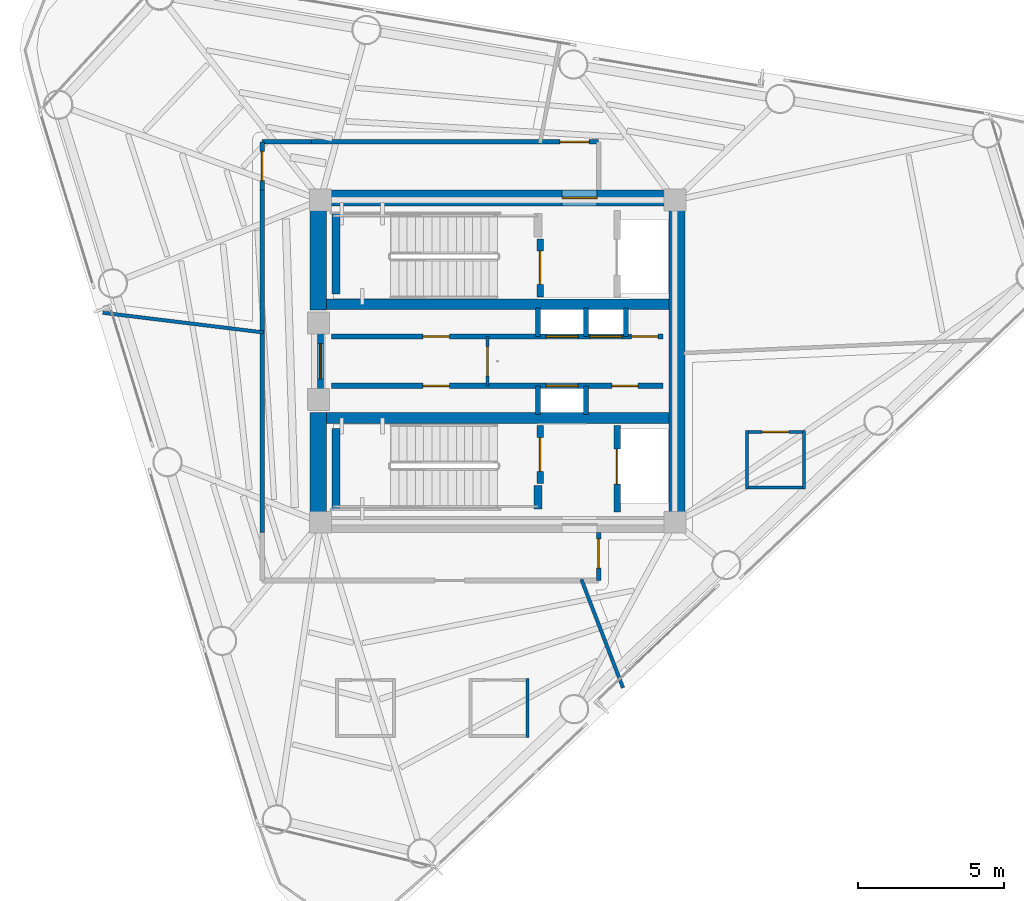
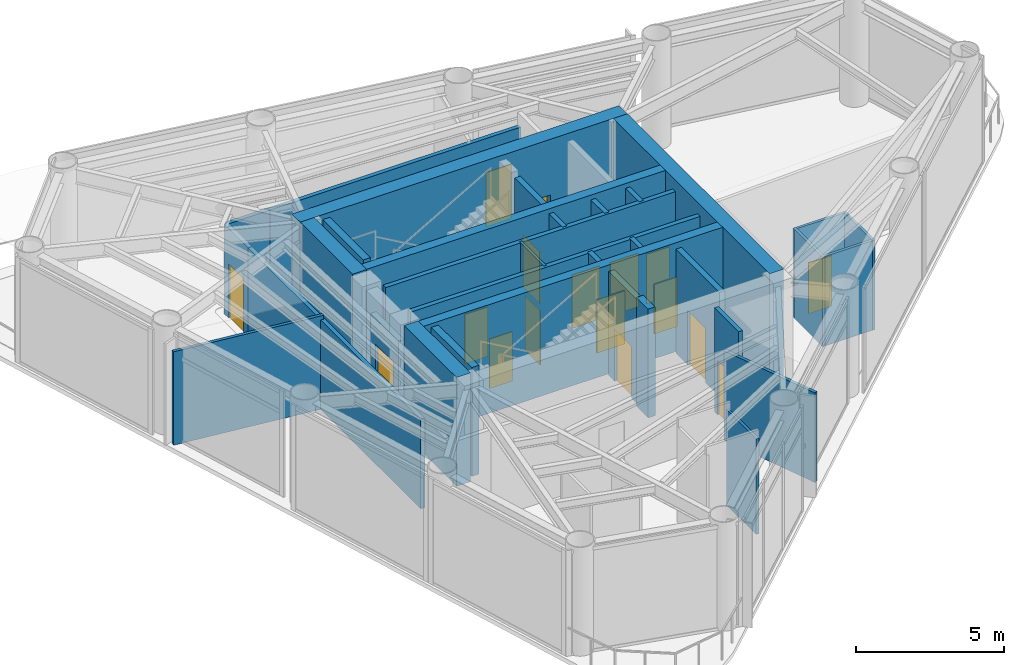
# One storey, part 6 of 11: 33 walls, 17 doors, 17 openings.
"""IFC4 building model written with IfcOpenShell, lengths in metres."""

from ifc_helpers import new_model, si_unit, direction, frame, frame_2d, origin, place, context, subcontext, project, spatial, rectangle, extrude, material, layer, layer_set, type_object, element, fill, save


model = new_model("IFC4")

# Units and contexts
model_context = context("Model", 3, precision=1e-05, world=origin(), true_north=direction((0.0, 1.0)))
body_context = subcontext(model_context, "Body", "Model", "MODEL_VIEW")
ifc_project = project(units=[si_unit("LENGTHUNIT", "METRE"), si_unit("AREAUNIT", "SQUARE_METRE"), si_unit("VOLUMEUNIT", "CUBIC_METRE"), si_unit("PLANEANGLEUNIT", "RADIAN"), si_unit("MASSUNIT", "GRAM", prefix="KILO")], contexts=[model_context])

# Site, building, storey
site_placement = place(None, origin())
site = spatial("IfcSite", under=ifc_project, at=site_placement, CompositionType="ELEMENT")
building_placement = place(site_placement, origin())
building = spatial("IfcBuilding", under=site, at=building_placement, Name="Yunling Apex Tower", CompositionType="ELEMENT")
storey_placement = place(building_placement, frame((0.0, 0.0, 224.14990234375)))
storey = spatial("IfcBuildingStorey", under=building, at=storey_placement, Name="L54", CompositionType="ELEMENT", Elevation=224.14990234375)

# Wall, opening, door
ifc_material_1 = material(Name="Concrete C40", Category="concrete")
ifc_layer_1 = layer(ifc_material_1, 0.550048828125)
ifc_layer_set_1 = layer_set([ifc_layer_1], Name="Concrete C40")
wall_type_1 = type_object("IfcWallType", Name="WL-COR-3", PredefinedType="SHEAR", material=ifc_layer_set_1)
wall_1_placement = place(storey_placement, frame((-6.39990234375, 5.574951171875, 0.0), z_axis=(0.0, 0.0, 1.0), x_axis=(1.0, 0.0, 0.0)))
wall_1 = element("IfcWall", 1, at=wall_1_placement, inside=storey, type_object=wall_type_1, Name="L54 North Core Shear Wall", PredefinedType="SHEAR", context=body_context, shape_type="SweptSolid", body=[
    extrude(rectangle(XDim=12.7998046875, YDim=0.550048828125, at=frame_2d((6.39990234375, 0.0))), origin(), (0.0, 0.0, 1.0), 4.5),
])
opening_1_placement = place(wall_1_placement, frame((8.60009765625, 0.0, 0.0)))
opening_1 = element("IfcOpeningElement", 2, at=opening_1_placement, cuts=wall_1, Name="Opening DR-FFL-1", PredefinedType="OPENING", context=body_context, shape_type="SweptSolid", body=[
    extrude(rectangle(XDim=1.199951171875, YDim=2.199951171875, at=frame_2d((0.60009765625, 1.10009765625))), frame((0.0, 0.28515625, 0.0), z_axis=(0.0, -1.0, 0.0), x_axis=(1.0, 0.0, 0.0)), (0.0, 0.0, 1.0), 0.570068359375),
])
ifc_material_2 = material(Name="Steel Q355B", Category="steel")
door_type_1 = type_object("IfcDoorType", Name="DR-FFL-1", OperationType="NOTDEFINED", PredefinedType="DOOR", material=ifc_material_2)
door_1_placement = place(opening_1_placement, origin())
door_1 = element("IfcDoor", 3, at=door_1_placement, inside=storey, type_object=door_type_1, Name="L54 North Firefighting Lobby Door", OperationType="SINGLE_SWING_LEFT", OverallHeight=2.199951171875, OverallWidth=1.199951171875, PredefinedType="DOOR", context=body_context, shape_type="SweptSolid", body=[
    extrude(rectangle(XDim=1.199951171875, YDim=2.199951171875, at=frame_2d((0.60009765625, 1.10009765625))), frame((0.0, 0.02490234375, 0.0), z_axis=(0.0, -1.0, 0.0), x_axis=(1.0, 0.0, 0.0)), (0.0, 0.0, 1.0), 0.050048828125),
])
fill(opening_1, door_1)

# Walls
wall_2_placement = place(storey_placement, frame((6.125, -5.300048828125, 0.0), z_axis=(0.0, 0.0, 1.0), x_axis=(0.0, 1.0, 0.0)))
element("IfcWall", 4, at=wall_2_placement, inside=storey, type_object=wall_type_1, Name="L54 East Core Shear Wall", PredefinedType="SHEAR", context=body_context, shape_type="SweptSolid", body=[
    extrude(rectangle(XDim=10.60009765625, YDim=0.550048828125, at=frame_2d((5.300048828125, 0.0))), origin(), (0.0, 0.0, 1.0), 4.5),
])
for number, where, z_axis, x_axis, name in (
    (5, (-6.125, -5.300048828125, 0.0), (0.0, 0.0, 1.0), (0.0, 1.0, 0.0), "L54 West-South Core Shear Wall"),
    (6, (-6.125, 1.75, 0.0), (0.0, 0.0, 1.0), (0.0, 1.0, 0.0), "L54 West-North Core Shear Wall"),
):
    element("IfcWall", number, at=place(storey_placement, frame(where, z_axis=z_axis, x_axis=x_axis)), inside=storey, type_object=wall_type_1, Name=name, PredefinedType="SHEAR", context=body_context, shape_type="SweptSolid", body=[
        extrude(rectangle(XDim=3.550048828125, YDim=0.550048828125, at=frame_2d((1.77490234375, 0.0))), origin(), (0.0, 0.0, 1.0), 4.5),
    ])
ifc_layer_2 = layer(ifc_material_1, 0.360107421875)
ifc_layer_set_2 = layer_set([ifc_layer_2], Name="Concrete C40")
wall_type_2 = type_object("IfcWallType", Name="WL-COR-4", PredefinedType="SHEAR", material=ifc_layer_set_2)
for number, where, z_axis, x_axis, name in (
    (7, (-5.85009765625, 1.93994140625, 0.0), (0.0, 0.0, 1.0), (1.0, 0.0, 0.0), "L54 North Internal Core Shear Wall"),
    (8, (-5.85009765625, -1.93994140625, 0.0), (0.0, 0.0, 1.0), (1.0, 0.0, 0.0), "L54 South Internal Core Shear Wall"),
):
    element("IfcWall", number, at=place(storey_placement, frame(where, z_axis=z_axis, x_axis=x_axis)), inside=storey, type_object=wall_type_2, Name=name, PredefinedType="SHEAR", context=body_context, shape_type="SweptSolid", body=[
        extrude(rectangle(XDim=11.7001953125, YDim=0.360107421875, at=frame_2d((5.85009765625, 0.0))), origin(), (0.0, 0.0, 1.0), 4.5),
    ])
ifc_layer_3 = layer(ifc_material_1, 0.280029296875)
ifc_layer_set_3 = layer_set([ifc_layer_3], Name="Concrete C40")
wall_type_3 = type_object("IfcWallType", Name="WL-COR-8", PredefinedType="SHEAR", material=ifc_layer_set_3)
for number, where, z_axis, x_axis, name in (
    (9, (-5.52001953125, 2.300048828125, 0.0), (0.0, 0.0, 1.0), (0.0, 1.0, 0.0), "L54 ST-1 West Landing Bearing Wall"),
    (10, (-5.52001953125, -5.050048828125, 0.0), (0.0, 0.0, 1.0), (0.0, 1.0, 0.0), "L54 ST-2 West Landing Bearing Wall"),
):
    element("IfcWall", number, at=place(storey_placement, frame(where, z_axis=z_axis, x_axis=x_axis)), inside=storey, type_object=wall_type_3, Name=name, PredefinedType="SHEAR", context=body_context, shape_type="SweptSolid", body=[
        extrude(rectangle(XDim=2.75, YDim=0.280029296875, at=frame_2d((1.375, 0.0))), origin(), (0.0, 0.0, 1.0), 4.5),
    ])
wall_3_placement = place(storey_placement, frame((1.3798828125, -5.050048828125, 0.0), z_axis=(0.0, 0.0, 1.0), x_axis=(0.0, 1.0, 0.0)))
element("IfcWall", 11, at=wall_3_placement, inside=storey, type_object=wall_type_3, Name="L54 ST-2 East Landing Bearing Pier", PredefinedType="SHEAR", context=body_context, shape_type="SweptSolid", body=[
    extrude(rectangle(XDim=0.800048828125, YDim=0.280029296875, at=frame_2d((0.39990234375, 0.0))), origin(), (0.0, 0.0, 1.0), 4.5),
])

# Wall, opening, door
ifc_material_3 = material(Name="Gypsum board acoustic partition")
ifc_layer_4 = layer(ifc_material_3, 0.159912109375)
ifc_layer_set_4 = layer_set([ifc_layer_4], Name="Gypsum board acoustic partition")
wall_type_4 = type_object("IfcWallType", Name="WL-PRT-1", PredefinedType="PARTITIONING", material=ifc_layer_set_4)
wall_4_placement = place(storey_placement, frame((-8.0400390625, 5.85009765625, 0.0), z_axis=(0.0, 0.0, 1.0), x_axis=(0.0, 1.0, 0.0)))
wall_4 = element("IfcWall", 12, at=wall_4_placement, inside=storey, type_object=wall_type_4, Name="WL-CORR-L54-01", PredefinedType="PARTITIONING", context=body_context, shape_type="SweptSolid", body=[
    extrude(rectangle(XDim=1.639892578125, YDim=0.159912109375, at=frame_2d((0.81982421875, 0.0))), origin(), (0.0, 0.0, 1.0), 3.705078125),
])
opening_2_placement = place(wall_4_placement, frame((0.320068359375, 0.0, 0.0)))
opening_2 = element("IfcOpeningElement", 13, at=opening_2_placement, cuts=wall_4, Name="Opening DR-OFF-1", PredefinedType="OPENING", context=body_context, shape_type="SweptSolid", body=[
    extrude(rectangle(XDim=1.0, YDim=2.25, at=frame_2d((0.5, 1.125))), frame((0.0, 0.08984375, 0.0), z_axis=(0.0, -1.0, 0.0), x_axis=(1.0, 0.0, 0.0)), (0.0, 0.0, 1.0), 0.179931640625),
])
ifc_material_4 = material(Name="Bronze anodised aluminium", Category="aluminium")
door_type_2 = type_object("IfcDoorType", Name="DR-OFF-1", OperationType="NOTDEFINED", PredefinedType="DOOR", material=ifc_material_4)
door_2_placement = place(opening_2_placement, origin())
door_2 = element("IfcDoor", 14, at=door_2_placement, inside=storey, type_object=door_type_2, Name="L54 Sky Dining Kitchen Door", OperationType="SINGLE_SWING_RIGHT", OverallHeight=2.25, OverallWidth=1.0, PredefinedType="DOOR", context=body_context, shape_type="SweptSolid", body=[
    extrude(rectangle(XDim=1.0, YDim=2.25, at=frame_2d((0.5, 1.125))), frame((0.0, 0.02490234375, 0.0), z_axis=(0.0, -1.0, 0.0), x_axis=(1.0, 0.0, 0.0)), (0.0, 0.0, 1.0), 0.050048828125),
])
fill(opening_2, door_2)

# Wall
wall_5_placement = place(storey_placement, frame((-8.0400390625, 7.489990234375, 0.0), z_axis=(0.0, 0.0, 1.0), x_axis=(1.0, 0.0, 0.0)))
element("IfcWall", 15, at=wall_5_placement, inside=storey, type_object=wall_type_4, Name="WL-CORR-L54-02", PredefinedType="PARTITIONING", context=body_context, shape_type="SweptSolid", body=[
    extrude(rectangle(XDim=1.679931640625, YDim=0.159912109375, at=frame_2d((0.83984375, 0.0))), origin(), (0.0, 0.0, 1.0), 3.705078125),
])

# Wall, opening, door
wall_6_placement = place(storey_placement, frame((-6.360107421875, 7.489990234375, 0.0), z_axis=(0.0, 0.0, 1.0), x_axis=(1.0, 0.0, 0.0)))
wall_6 = element("IfcWall", 16, at=wall_6_placement, inside=storey, type_object=wall_type_4, Name="WL-CORR-L54-03", PredefinedType="PARTITIONING", context=body_context, shape_type="SweptSolid", body=[
    extrude(rectangle(XDim=9.81005859375, YDim=0.159912109375, at=frame_2d((4.905029296875, 0.0))), origin(), (0.0, 0.0, 1.0), 3.705078125),
])
opening_3_placement = place(wall_6_placement, frame((8.4873046875, 0.0, 0.0)))
opening_3 = element("IfcOpeningElement", 17, at=opening_3_placement, cuts=wall_6, Name="Opening DR-OFF-1", PredefinedType="OPENING", context=body_context, shape_type="SweptSolid", body=[
    extrude(rectangle(XDim=1.0, YDim=2.25, at=frame_2d((0.5, 1.125))), frame((0.0, 0.08984375, 0.0), z_axis=(0.0, -1.0, 0.0), x_axis=(1.0, 0.0, 0.0)), (0.0, 0.0, 1.0), 0.179931640625),
])
door_3_placement = place(opening_3_placement, origin())
door_3 = element("IfcDoor", 18, at=door_3_placement, inside=storey, type_object=door_type_2, Name="L54 Sky Observation Lounge Door", OperationType="SINGLE_SWING_LEFT", OverallHeight=2.25, OverallWidth=1.0, PredefinedType="DOOR", context=body_context, shape_type="SweptSolid", body=[
    extrude(rectangle(XDim=1.0, YDim=2.25, at=frame_2d((0.5, 1.125))), frame((0.0, 0.02490234375, 0.0), z_axis=(0.0, -1.0, 0.0), x_axis=(1.0, 0.0, 0.0)), (0.0, 0.0, 1.0), 0.050048828125),
])
fill(opening_3, door_3)

wall_7_placement = place(storey_placement, frame((3.449951171875, -5.85009765625, 0.0), z_axis=(0.0, 0.0, 1.0), x_axis=(0.0, -1.0, 0.0)))
wall_7 = element("IfcWall", 19, at=wall_7_placement, inside=storey, type_object=wall_type_4, Name="WL-CORR-L54-05", PredefinedType="PARTITIONING", context=body_context, shape_type="SweptSolid", body=[
    extrude(rectangle(XDim=1.639892578125, YDim=0.159912109375, at=frame_2d((0.81982421875, 0.0))), origin(), (0.0, 0.0, 1.0), 4.300048828125),
])
opening_4_placement = place(wall_7_placement, frame((0.219970703125, 0.0, 0.0)))
opening_4 = element("IfcOpeningElement", 20, at=opening_4_placement, cuts=wall_7, Name="Opening DR-OFF-1", PredefinedType="OPENING", context=body_context, shape_type="SweptSolid", body=[
    extrude(rectangle(XDim=1.0, YDim=2.25, at=frame_2d((0.5, 1.125))), frame((0.0, 0.08984375, 0.0), z_axis=(0.0, -1.0, 0.0), x_axis=(1.0, 0.0, 0.0)), (0.0, 0.0, 1.0), 0.179931640625),
])
door_4_placement = place(opening_4_placement, origin())
door_4 = element("IfcDoor", 21, at=door_4_placement, inside=storey, type_object=door_type_2, Name="L54 Office Suite Door", OperationType="SINGLE_SWING_RIGHT", OverallHeight=2.25, OverallWidth=1.0, PredefinedType="DOOR", context=body_context, shape_type="SweptSolid", body=[
    extrude(rectangle(XDim=1.0, YDim=2.25, at=frame_2d((0.5, 1.125))), frame((0.0, 0.02490234375, 0.0), z_axis=(0.0, -1.0, 0.0), x_axis=(1.0, 0.0, 0.0)), (0.0, 0.0, 1.0), 0.050048828125),
])
fill(opening_4, door_4)

# Walls
wall_8_placement = place(storey_placement, frame((-8.0400390625, -5.85009765625, 0.0), z_axis=(0.0, 0.0, 1.0), x_axis=(0.0, 1.0, 0.0)))
element("IfcWall", 22, at=wall_8_placement, inside=storey, type_object=wall_type_4, Name="WL-CORR-L54-09", PredefinedType="PARTITIONING", context=body_context, shape_type="SweptSolid", body=[
    extrude(rectangle(XDim=11.7001953125, YDim=0.159912109375, at=frame_2d((5.85009765625, 0.0))), origin(), (0.0, 0.0, 1.0), 3.705078125),
])
ifc_layer_5 = layer(ifc_material_3, 0.1201171875)
ifc_layer_set_5 = layer_set([ifc_layer_5], Name="Gypsum board acoustic partition")
wall_type_5 = type_object("IfcWallType", Name="WL-PRT-3", PredefinedType="PARTITIONING", material=ifc_layer_set_5)
wall_9_placement = place(storey_placement, frame((-8.0, 0.982421875, 0.0), z_axis=(0.0, 0.0, 1.0), x_axis=(-0.992546737371, 0.121864572927, 0.0)))
element("IfcWall", 23, at=wall_9_placement, inside=storey, type_object=wall_type_5, Name="WL-RAD-L54-03", PredefinedType="PARTITIONING", context=body_context, shape_type="SweptSolid", body=[
    extrude(rectangle(XDim=5.525390625, YDim=0.1201171875, at=frame_2d((2.7626953125, 0.0))), origin(), (0.0, 0.0, 1.0), 3.864990234375),
])
wall_10_placement = place(storey_placement, frame((2.85986328125, -7.449951171875, 0.0), z_axis=(0.0, 0.0, 1.0), x_axis=(0.35834382605, -0.933589686282, 0.0)))
element("IfcWall", 24, at=wall_10_placement, inside=storey, type_object=wall_type_5, Name="WL-RAD-L54-04", PredefinedType="PARTITIONING", context=body_context, shape_type="SweptSolid", body=[
    extrude(rectangle(XDim=3.966552734375, YDim=0.1201171875, at=frame_2d((1.9833984375, 0.0))), origin(), (0.0, 0.0, 1.0), 3.705078125),
])

# Wall, opening, door
ifc_layer_6 = layer(ifc_material_3, 0.10009765625)
ifc_layer_set_6 = layer_set([ifc_layer_6], Name="Gypsum board acoustic partition")
wall_type_6 = type_object("IfcWallType", Name="WL-PRT-4", PredefinedType="PARTITIONING", material=ifc_layer_set_6)
wall_11_placement = place(storey_placement, frame((-0.35009765625, -0.840087890625, 0.0), z_axis=(0.0, 0.0, 1.0), x_axis=(0.0, 1.0, 0.0)))
wall_11 = element("IfcWall", 25, at=wall_11_placement, inside=storey, type_object=wall_type_6, Name="WL-LOB-MID-L54", PredefinedType="PARTITIONING", context=body_context, shape_type="SweptSolid", body=[
    extrude(rectangle(XDim=1.68017578125, YDim=0.10009765625, at=frame_2d((0.840087890625, 0.0))), origin(), (0.0, 0.0, 1.0), 4.300048828125),
])
opening_5_placement = place(wall_11_placement, frame((0.340087890625, 0.0, 0.0)))
opening_5 = element("IfcOpeningElement", 26, at=opening_5_placement, cuts=wall_11, Name="Opening DR-OFF-1", PredefinedType="OPENING", context=body_context, shape_type="SweptSolid", body=[
    extrude(rectangle(XDim=1.0, YDim=2.25, at=frame_2d((0.5, 1.125))), frame((0.0, 0.06005859375, 0.0), z_axis=(0.0, -1.0, 0.0), x_axis=(1.0, 0.0, 0.0)), (0.0, 0.0, 1.0), 0.1201171875),
])
door_5_placement = place(opening_5_placement, origin())
door_5 = element("IfcDoor", 27, at=door_5_placement, inside=storey, type_object=door_type_2, Name="L54 Core Lobby Link Door", OperationType="SINGLE_SWING_RIGHT", OverallHeight=2.25, OverallWidth=1.0, PredefinedType="DOOR", context=body_context, shape_type="SweptSolid", body=[
    extrude(rectangle(XDim=1.0, YDim=2.25, at=frame_2d((0.5, 1.125))), frame((0.0, 0.02490234375, 0.0), z_axis=(0.0, -1.0, 0.0), x_axis=(1.0, 0.0, 0.0)), (0.0, 0.0, 1.0), 0.050048828125),
])
fill(opening_5, door_5)

# Wall
wall_12_placement = place(storey_placement, frame((1.01708984375, -10.843994140625, 0.0), z_axis=(0.0, 0.0, 1.0), x_axis=(0.0, -1.0, 0.0)))
element("IfcWall", 28, at=wall_12_placement, inside=storey, type_object=wall_type_6, Name="WL-L54-WCFE", PredefinedType="PARTITIONING", context=body_context, shape_type="SweptSolid", body=[
    extrude(rectangle(XDim=2.0, YDim=0.10009765625, at=frame_2d((1.0, 0.0))), origin(), (0.0, 0.0, 1.0), 3.955078125),
])

# Wall, opening, door
wall_13_placement = place(storey_placement, frame((8.4619140625, -2.4150390625, 0.0), z_axis=(0.0, 0.0, 1.0), x_axis=(1.0, 0.0, 0.0)))
wall_13 = element("IfcWall", 29, at=wall_13_placement, inside=storey, type_object=wall_type_6, Name="WL-L54-WCFB1N", PredefinedType="PARTITIONING", context=body_context, shape_type="SweptSolid", body=[
    extrude(rectangle(XDim=2.050048828125, YDim=0.10009765625, at=frame_2d((1.02490234375, 0.0))), origin(), (0.0, 0.0, 1.0), 3.705078125),
])
opening_6_placement = place(wall_13_placement, frame((0.56494140625, 0.0, 0.0)))
opening_6 = element("IfcOpeningElement", 30, at=opening_6_placement, cuts=wall_13, Name="Opening DR-WC-1", PredefinedType="OPENING", context=body_context, shape_type="SweptSolid", body=[
    extrude(rectangle(XDim=0.919921875, YDim=2.10009765625, at=frame_2d((0.4599609375, 1.050048828125))), frame((0.0, 0.06005859375, 0.0), z_axis=(0.0, -1.0, 0.0), x_axis=(1.0, 0.0, 0.0)), (0.0, 0.0, 1.0), 0.1201171875),
])
ifc_material_5 = material(Name="Timber moisture-resistant leaf", Category="wood")
door_type_3 = type_object("IfcDoorType", Name="DR-WC-1", OperationType="NOTDEFINED", PredefinedType="DOOR", material=ifc_material_5)
door_6_placement = place(opening_6_placement, origin())
door_6 = element("IfcDoor", 31, at=door_6_placement, inside=storey, type_object=door_type_3, Name="L54 Accessible WC Door", OperationType="SINGLE_SWING_LEFT", OverallHeight=2.10009765625, OverallWidth=0.919921875, PredefinedType="DOOR", context=body_context, shape_type="SweptSolid", body=[
    extrude(rectangle(XDim=0.919921875, YDim=2.10009765625, at=frame_2d((0.4599609375, 1.050048828125))), frame((0.0, 0.02490234375, 0.0), z_axis=(0.0, -1.0, 0.0), x_axis=(1.0, 0.0, 0.0)), (0.0, 0.0, 1.0), 0.050048828125),
])
fill(opening_6, door_6)

# Walls
wall_14_placement = place(storey_placement, frame((10.511962890625, -4.31494140625, 0.0), z_axis=(0.0, 0.0, 1.0), x_axis=(-1.0, 0.0, 0.0)))
element("IfcWall", 32, at=wall_14_placement, inside=storey, type_object=wall_type_6, Name="WL-L54-WCFB1S", PredefinedType="PARTITIONING", context=body_context, shape_type="SweptSolid", body=[
    extrude(rectangle(XDim=2.050048828125, YDim=0.10009765625, at=frame_2d((1.02490234375, 0.0))), origin(), (0.0, 0.0, 1.0), 3.705078125),
])
for number, where, z_axis, x_axis, name in (
    (33, (10.4619140625, -2.364990234375, 0.0), (0.0, 0.0, 1.0), (0.0, -1.0, 0.0), "WL-L54-WCFB1E"),
    (34, (8.511962890625, -4.364990234375, 0.0), (0.0, 0.0, 1.0), (0.0, 1.0, 0.0), "WL-L54-WCFB1W"),
):
    element("IfcWall", number, at=place(storey_placement, frame(where, z_axis=z_axis, x_axis=x_axis)), inside=storey, type_object=wall_type_6, Name=name, PredefinedType="PARTITIONING", context=body_context, shape_type="SweptSolid", body=[
        extrude(rectangle(XDim=2.0, YDim=0.10009765625, at=frame_2d((1.0, 0.0))), origin(), (0.0, 0.0, 1.0), 3.705078125),
    ])

# Wall, opening, door
ifc_material_6 = material(Name="Autoclaved aerated concrete masonry", Category="masonry")
ifc_layer_7 = layer(ifc_material_6, 0.219970703125)
ifc_layer_set_7 = layer_set([ifc_layer_7], Name="Autoclaved aerated concrete masonry")
wall_type_7 = type_object("IfcWallType", Name="WL-SHF-1", PredefinedType="PLUMBINGWALL", material=ifc_layer_set_7)
wall_15_placement = place(storey_placement, frame((-6.050048828125, -0.949951171875, 0.0), z_axis=(0.0, 0.0, 1.0), x_axis=(0.0, 1.0, 0.0)))
wall_15 = element("IfcWall", 35, at=wall_15_placement, inside=storey, type_object=wall_type_7, Name="WL-COR-WPORT-L54", PredefinedType="PLUMBINGWALL", context=body_context, shape_type="SweptSolid", body=[
    extrude(rectangle(XDim=1.89990234375, YDim=0.219970703125, at=frame_2d((0.949951171875, 0.0))), origin(), (0.0, 0.0, 1.0), 3.280029296875),
])
opening_7_placement = place(wall_15_placement, frame((0.35009765625, 0.0, 0.0)))
opening_7 = element("IfcOpeningElement", 36, at=opening_7_placement, cuts=wall_15, Name="Opening DR-FFL-1", PredefinedType="OPENING", context=body_context, shape_type="SweptSolid", body=[
    extrude(rectangle(XDim=1.199951171875, YDim=2.199951171875, at=frame_2d((0.60009765625, 1.10009765625))), frame((0.0, 0.1201171875, 0.0), z_axis=(0.0, -1.0, 0.0), x_axis=(1.0, 0.0, 0.0)), (0.0, 0.0, 1.0), 0.239990234375),
])
door_7_placement = place(opening_7_placement, origin())
door_7 = element("IfcDoor", 37, at=door_7_placement, inside=storey, type_object=door_type_1, Name="L54 Passenger Lift Lobby Entrance Door", OperationType="SINGLE_SWING_RIGHT", OverallHeight=2.199951171875, OverallWidth=1.199951171875, PredefinedType="DOOR", context=body_context, shape_type="SweptSolid", body=[
    extrude(rectangle(XDim=1.199951171875, YDim=2.199951171875, at=frame_2d((0.60009765625, 1.10009765625))), frame((0.0, 0.02490234375, 0.0), z_axis=(0.0, -1.0, 0.0), x_axis=(1.0, 0.0, 0.0)), (0.0, 0.0, 1.0), 0.050048828125),
])
fill(opening_7, door_7)

wall_16_placement = place(storey_placement, frame((1.449951171875, 2.199951171875, 0.0), z_axis=(0.0, 0.0, 1.0), x_axis=(0.0, 1.0, 0.0)))
wall_16 = element("IfcWall", 38, at=wall_16_placement, inside=storey, type_object=wall_type_7, Name="WL-ST1-E-L54", PredefinedType="PLUMBINGWALL", context=body_context, shape_type="SweptSolid", body=[
    extrude(rectangle(XDim=1.97998046875, YDim=0.219970703125, at=frame_2d((0.989990234375, 0.0))), origin(), (0.0, 0.0, 1.0), 4.300048828125),
])
opening_8_placement = place(wall_16_placement, frame((0.419921875, 0.0, 0.0)))
opening_8 = element("IfcOpeningElement", 39, at=opening_8_placement, cuts=wall_16, Name="Opening DR-ST-1", PredefinedType="OPENING", context=body_context, shape_type="SweptSolid", body=[
    extrude(rectangle(XDim=1.14990234375, YDim=2.14990234375, at=frame_2d((0.574951171875, 1.074951171875))), frame((0.0, 0.1201171875, 0.0), z_axis=(0.0, -1.0, 0.0), x_axis=(1.0, 0.0, 0.0)), (0.0, 0.0, 1.0), 0.239990234375),
])
door_type_4 = type_object("IfcDoorType", Name="DR-ST-1", OperationType="NOTDEFINED", PredefinedType="DOOR", material=ifc_material_2)
door_8_placement = place(opening_8_placement, origin())
door_8 = element("IfcDoor", 40, at=door_8_placement, inside=storey, type_object=door_type_4, Name="L54 Stair ST-1 Fire Door", OperationType="SINGLE_SWING_RIGHT", OverallHeight=2.14990234375, OverallWidth=1.14990234375, PredefinedType="DOOR", context=body_context, shape_type="SweptSolid", body=[
    extrude(rectangle(XDim=1.14990234375, YDim=2.14990234375, at=frame_2d((0.574951171875, 1.074951171875))), frame((0.0, 0.02490234375, 0.0), z_axis=(0.0, -1.0, 0.0), x_axis=(1.0, 0.0, 0.0)), (0.0, 0.0, 1.0), 0.050048828125),
])
fill(opening_8, door_8)

wall_17_placement = place(storey_placement, frame((1.449951171875, -4.179931640625, 0.0), z_axis=(0.0, 0.0, 1.0), x_axis=(0.0, 1.0, 0.0)))
wall_17 = element("IfcWall", 41, at=wall_17_placement, inside=storey, type_object=wall_type_7, Name="WL-ST2-E-L54", PredefinedType="PLUMBINGWALL", context=body_context, shape_type="SweptSolid", body=[
    extrude(rectangle(XDim=1.97998046875, YDim=0.219970703125, at=frame_2d((0.989990234375, 0.0))), origin(), (0.0, 0.0, 1.0), 4.300048828125),
])
opening_9_placement = place(wall_17_placement, frame((0.419921875, 0.0, 0.0)))
opening_9 = element("IfcOpeningElement", 42, at=opening_9_placement, cuts=wall_17, Name="Opening DR-ST-1", PredefinedType="OPENING", context=body_context, shape_type="SweptSolid", body=[
    extrude(rectangle(XDim=1.14990234375, YDim=2.14990234375, at=frame_2d((0.574951171875, 1.074951171875))), frame((0.0, 0.1201171875, 0.0), z_axis=(0.0, -1.0, 0.0), x_axis=(1.0, 0.0, 0.0)), (0.0, 0.0, 1.0), 0.239990234375),
])
door_9_placement = place(opening_9_placement, origin())
door_9 = element("IfcDoor", 43, at=door_9_placement, inside=storey, type_object=door_type_4, Name="L54 Stair ST-2 Fire Door", OperationType="SINGLE_SWING_LEFT", OverallHeight=2.14990234375, OverallWidth=1.14990234375, PredefinedType="DOOR", context=body_context, shape_type="SweptSolid", body=[
    extrude(rectangle(XDim=1.14990234375, YDim=2.14990234375, at=frame_2d((0.574951171875, 1.074951171875))), frame((0.0, 0.02490234375, 0.0), z_axis=(0.0, -1.0, 0.0), x_axis=(1.0, 0.0, 0.0)), (0.0, 0.0, 1.0), 0.050048828125),
])
fill(opening_9, door_9)

wall_18_placement = place(storey_placement, frame((4.080078125, -5.14990234375, 0.0), z_axis=(0.0, 0.0, 1.0), x_axis=(0.0, 1.0, 0.0)))
wall_18 = element("IfcWall", 44, at=wall_18_placement, inside=storey, type_object=wall_type_7, Name="WL-FFL2-W-L54", PredefinedType="PLUMBINGWALL", context=body_context, shape_type="SweptSolid", body=[
    extrude(rectangle(XDim=2.949951171875, YDim=0.219970703125, at=frame_2d((1.47509765625, 0.0))), origin(), (0.0, 0.0, 1.0), 4.300048828125),
])
opening_10_placement = place(wall_18_placement, frame((0.949951171875, 0.0, 0.0)))
opening_10 = element("IfcOpeningElement", 45, at=opening_10_placement, cuts=wall_18, Name="Opening LD-FFL-1", PredefinedType="OPENING", context=body_context, shape_type="SweptSolid", body=[
    extrude(rectangle(XDim=1.199951171875, YDim=2.25, at=frame_2d((0.60009765625, 1.125))), frame((0.0, 0.1201171875, 0.0), z_axis=(0.0, -1.0, 0.0), x_axis=(1.0, 0.0, 0.0)), (0.0, 0.0, 1.0), 0.239990234375),
])
door_type_5 = type_object("IfcDoorType", Name="LD-FFL-1", OperationType="DOUBLE_DOOR_SLIDING", PredefinedType="DOOR", material=ifc_material_2)
door_10_placement = place(opening_10_placement, origin())
door_10 = element("IfcDoor", 46, at=door_10_placement, inside=storey, type_object=door_type_5, Name="L54 Lift FFL-2 Landing Door", OperationType="DOUBLE_DOOR_SLIDING", OverallHeight=2.25, OverallWidth=1.199951171875, PredefinedType="DOOR", context=body_context, shape_type="SweptSolid", body=[
    extrude(rectangle(XDim=1.199951171875, YDim=2.25, at=frame_2d((0.60009765625, 1.125))), frame((0.0, 0.02490234375, 0.0), z_axis=(0.0, -1.0, 0.0), x_axis=(1.0, 0.0, 0.0)), (0.0, 0.0, 1.0), 0.050048828125),
])
fill(opening_10, door_10)

# Walls
ifc_layer_8 = layer(ifc_material_6, 0.179931640625)
ifc_layer_set_8 = layer_set([ifc_layer_8], Name="Autoclaved aerated concrete masonry")
wall_type_8 = type_object("IfcWallType", Name="WL-SHF-2", PredefinedType="PLUMBINGWALL", material=ifc_layer_set_8)
for number, where, z_axis, x_axis, name in (
    (47, (1.3798828125, 0.840087890625, 0.0), (0.0, 0.0, 1.0), (0.0, 1.0, 0.0), "WL-BNK-MH-N-L54"),
    (48, (1.3798828125, -1.820068359375, 0.0), (0.0, 0.0, 1.0), (0.0, 1.0, 0.0), "WL-BNK-MH-S-L54"),
    (49, (3.02001953125, 0.840087890625, 0.0), (0.0, 0.0, 1.0), (0.0, 1.0, 0.0), "WL-DIV-H13-L54"),
    (50, (4.3798828125, 0.840087890625, 0.0), (0.0, 0.0, 1.0), (0.0, 1.0, 0.0), "WL-END-H3E-L54"),
    (51, (3.02001953125, -1.820068359375, 0.0), (0.0, 0.0, 1.0), (0.0, 1.0, 0.0), "WL-END-H2E-L54"),
):
    element("IfcWall", number, at=place(storey_placement, frame(where, z_axis=z_axis, x_axis=x_axis)), inside=storey, type_object=wall_type_8, Name=name, PredefinedType="PLUMBINGWALL", context=body_context, shape_type="SweptSolid", body=[
        extrude(rectangle(XDim=0.97998046875, YDim=0.179931640625, at=frame_2d((0.489990234375, 0.0))), origin(), (0.0, 0.0, 1.0), 4.300048828125),
    ])

# Wall, openings, doors
wall_19_placement = place(storey_placement, frame((-5.679931640625, 0.840087890625, 0.0), z_axis=(0.0, 0.0, 1.0), x_axis=(1.0, 0.0, 0.0)))
wall_19 = element("IfcWall", 52, at=wall_19_placement, inside=storey, type_object=wall_type_8, Name="WL-LOB-N-L54", PredefinedType="PLUMBINGWALL", context=body_context, shape_type="SweptSolid", body=[
    extrude(rectangle(XDim=11.329833984375, YDim=0.179931640625, at=frame_2d((5.6650390625, 0.0))), origin(), (0.0, 0.0, 1.0), 4.300048828125),
])
opening_11_placement = place(wall_19_placement, frame((3.1298828125, 0.0, 0.0)))
opening_11 = element("IfcOpeningElement", 53, at=opening_11_placement, cuts=wall_19, Name="Opening DR-SHF-1", PredefinedType="OPENING", context=body_context, shape_type="SweptSolid", body=[
    extrude(rectangle(XDim=0.89990234375, YDim=2.050048828125, at=frame_2d((0.449951171875, 1.02490234375))), frame((0.0, 0.10009765625, 0.0), z_axis=(0.0, -1.0, 0.0), x_axis=(1.0, 0.0, 0.0)), (0.0, 0.0, 1.0), 0.199951171875),
])
opening_12_placement = place(wall_19_placement, frame((7.330078125, 0.0, 0.0)))
opening_12 = element("IfcOpeningElement", 54, at=opening_12_placement, cuts=wall_19, Name="Opening LD-PAS-1", PredefinedType="OPENING", context=body_context, shape_type="SweptSolid", body=[
    extrude(rectangle(XDim=1.10009765625, YDim=2.199951171875, at=frame_2d((0.550048828125, 1.10009765625))), frame((0.0, 0.10009765625, 0.0), z_axis=(0.0, -1.0, 0.0), x_axis=(1.0, 0.0, 0.0)), (0.0, 0.0, 1.0), 0.199951171875),
])
opening_13_placement = place(wall_19_placement, frame((8.830078125, 0.0, 0.0)))
opening_13 = element("IfcOpeningElement", 55, at=opening_13_placement, cuts=wall_19, Name="Opening LD-PAS-1", PredefinedType="OPENING", context=body_context, shape_type="SweptSolid", body=[
    extrude(rectangle(XDim=1.10009765625, YDim=2.199951171875, at=frame_2d((0.550048828125, 1.10009765625))), frame((0.0, 0.10009765625, 0.0), z_axis=(0.0, -1.0, 0.0), x_axis=(1.0, 0.0, 0.0)), (0.0, 0.0, 1.0), 0.199951171875),
])
opening_14_placement = place(wall_19_placement, frame((10.25, 0.0, 0.0)))
opening_14 = element("IfcOpeningElement", 56, at=opening_14_placement, cuts=wall_19, Name="Opening DR-SHF-1", PredefinedType="OPENING", context=body_context, shape_type="SweptSolid", body=[
    extrude(rectangle(XDim=0.89990234375, YDim=2.050048828125, at=frame_2d((0.449951171875, 1.02490234375))), frame((0.0, 0.10009765625, 0.0), z_axis=(0.0, -1.0, 0.0), x_axis=(1.0, 0.0, 0.0)), (0.0, 0.0, 1.0), 0.199951171875),
])
door_type_6 = type_object("IfcDoorType", Name="DR-SHF-1", OperationType="NOTDEFINED", PredefinedType="DOOR", material=ifc_material_2)
door_11_placement = place(opening_11_placement, origin())
door_11 = element("IfcDoor", 57, at=door_11_placement, inside=storey, type_object=door_type_6, Name="L54 Data Plant Door", OperationType="SINGLE_SWING_LEFT", OverallHeight=2.050048828125, OverallWidth=0.89990234375, PredefinedType="DOOR", context=body_context, shape_type="SweptSolid", body=[
    extrude(rectangle(XDim=0.89990234375, YDim=2.050048828125, at=frame_2d((0.449951171875, 1.02490234375))), frame((0.0, 0.02490234375, 0.0), z_axis=(0.0, -1.0, 0.0), x_axis=(1.0, 0.0, 0.0)), (0.0, 0.0, 1.0), 0.050048828125),
])
fill(opening_11, door_11)
door_12_placement = place(opening_14_placement, origin())
door_12 = element("IfcDoor", 58, at=door_12_placement, inside=storey, type_object=door_type_6, Name="L54 Core Janitor Closet Door", OperationType="SINGLE_SWING_RIGHT", OverallHeight=2.050048828125, OverallWidth=0.89990234375, PredefinedType="DOOR", context=body_context, shape_type="SweptSolid", body=[
    extrude(rectangle(XDim=0.89990234375, YDim=2.050048828125, at=frame_2d((0.449951171875, 1.02490234375))), frame((0.0, 0.02490234375, 0.0), z_axis=(0.0, -1.0, 0.0), x_axis=(1.0, 0.0, 0.0)), (0.0, 0.0, 1.0), 0.050048828125),
])
fill(opening_14, door_12)
ifc_material_7 = material(Name="Silver anodised aluminium", Category="aluminium")
door_type_7 = type_object("IfcDoorType", Name="LD-PAS-1", OperationType="DOUBLE_DOOR_SLIDING", PredefinedType="DOOR", material=ifc_material_7)
door_13_placement = place(opening_12_placement, origin())
door_13 = element("IfcDoor", 59, at=door_13_placement, inside=storey, type_object=door_type_7, Name="L54 Lift PL-H1 Landing Door", OperationType="DOUBLE_DOOR_SLIDING", OverallHeight=2.199951171875, OverallWidth=1.10009765625, PredefinedType="DOOR", context=body_context, shape_type="SweptSolid", body=[
    extrude(rectangle(XDim=1.10009765625, YDim=2.199951171875, at=frame_2d((0.550048828125, 1.10009765625))), frame((0.0, 0.02490234375, 0.0), z_axis=(0.0, -1.0, 0.0), x_axis=(1.0, 0.0, 0.0)), (0.0, 0.0, 1.0), 0.050048828125),
])
fill(opening_12, door_13)
door_14_placement = place(opening_13_placement, origin())
door_14 = element("IfcDoor", 60, at=door_14_placement, inside=storey, type_object=door_type_7, Name="L54 Lift PL-H3 Landing Door", OperationType="DOUBLE_DOOR_SLIDING", OverallHeight=2.199951171875, OverallWidth=1.10009765625, PredefinedType="DOOR", context=body_context, shape_type="SweptSolid", body=[
    extrude(rectangle(XDim=1.10009765625, YDim=2.199951171875, at=frame_2d((0.550048828125, 1.10009765625))), frame((0.0, 0.02490234375, 0.0), z_axis=(0.0, -1.0, 0.0), x_axis=(1.0, 0.0, 0.0)), (0.0, 0.0, 1.0), 0.050048828125),
])
fill(opening_13, door_14)

wall_20_placement = place(storey_placement, frame((-5.679931640625, -0.840087890625, 0.0), z_axis=(0.0, 0.0, 1.0), x_axis=(1.0, 0.0, 0.0)))
wall_20 = element("IfcWall", 61, at=wall_20_placement, inside=storey, type_object=wall_type_8, Name="WL-LOB-S-L54", PredefinedType="PLUMBINGWALL", context=body_context, shape_type="SweptSolid", body=[
    extrude(rectangle(XDim=11.329833984375, YDim=0.179931640625, at=frame_2d((5.6650390625, 0.0))), origin(), (0.0, 0.0, 1.0), 4.300048828125),
])
opening_15_placement = place(wall_20_placement, frame((3.1298828125, 0.0, 0.0)))
opening_15 = element("IfcOpeningElement", 62, at=opening_15_placement, cuts=wall_20, Name="Opening DR-SHF-1", PredefinedType="OPENING", context=body_context, shape_type="SweptSolid", body=[
    extrude(rectangle(XDim=0.89990234375, YDim=2.050048828125, at=frame_2d((0.449951171875, 1.02490234375))), frame((0.0, 0.10009765625, 0.0), z_axis=(0.0, -1.0, 0.0), x_axis=(1.0, 0.0, 0.0)), (0.0, 0.0, 1.0), 0.199951171875),
])
opening_16_placement = place(wall_20_placement, frame((7.330078125, 0.0, 0.0)))
opening_16 = element("IfcOpeningElement", 63, at=opening_16_placement, cuts=wall_20, Name="Opening LD-PAS-1", PredefinedType="OPENING", context=body_context, shape_type="SweptSolid", body=[
    extrude(rectangle(XDim=1.10009765625, YDim=2.199951171875, at=frame_2d((0.550048828125, 1.10009765625))), frame((0.0, 0.10009765625, 0.0), z_axis=(0.0, -1.0, 0.0), x_axis=(1.0, 0.0, 0.0)), (0.0, 0.0, 1.0), 0.199951171875),
])
opening_17_placement = place(wall_20_placement, frame((9.580078125, 0.0, 0.0)))
opening_17 = element("IfcOpeningElement", 64, at=opening_17_placement, cuts=wall_20, Name="Opening DR-SHF-1", PredefinedType="OPENING", context=body_context, shape_type="SweptSolid", body=[
    extrude(rectangle(XDim=0.89990234375, YDim=2.050048828125, at=frame_2d((0.449951171875, 1.02490234375))), frame((0.0, 0.10009765625, 0.0), z_axis=(0.0, -1.0, 0.0), x_axis=(1.0, 0.0, 0.0)), (0.0, 0.0, 1.0), 0.199951171875),
])
door_15_placement = place(opening_15_placement, origin())
door_15 = element("IfcDoor", 65, at=door_15_placement, inside=storey, type_object=door_type_6, Name="L54 Housekeeping Store Door", OperationType="SINGLE_SWING_LEFT", OverallHeight=2.050048828125, OverallWidth=0.89990234375, PredefinedType="DOOR", context=body_context, shape_type="SweptSolid", body=[
    extrude(rectangle(XDim=0.89990234375, YDim=2.050048828125, at=frame_2d((0.449951171875, 1.02490234375))), frame((0.0, 0.02490234375, 0.0), z_axis=(0.0, -1.0, 0.0), x_axis=(1.0, 0.0, 0.0)), (0.0, 0.0, 1.0), 0.050048828125),
])
fill(opening_15, door_15)
door_16_placement = place(opening_17_placement, origin())
door_16 = element("IfcDoor", 66, at=door_16_placement, inside=storey, type_object=door_type_6, Name="L54 Core MEP Service Door", OperationType="SINGLE_SWING_RIGHT", OverallHeight=2.050048828125, OverallWidth=0.89990234375, PredefinedType="DOOR", context=body_context, shape_type="SweptSolid", body=[
    extrude(rectangle(XDim=0.89990234375, YDim=2.050048828125, at=frame_2d((0.449951171875, 1.02490234375))), frame((0.0, 0.02490234375, 0.0), z_axis=(0.0, -1.0, 0.0), x_axis=(1.0, 0.0, 0.0)), (0.0, 0.0, 1.0), 0.050048828125),
])
fill(opening_17, door_16)
door_17_placement = place(opening_16_placement, origin())
door_17 = element("IfcDoor", 67, at=door_17_placement, inside=storey, type_object=door_type_7, Name="L54 Lift PL-H2 Landing Door", OperationType="DOUBLE_DOOR_SLIDING", OverallHeight=2.199951171875, OverallWidth=1.10009765625, PredefinedType="DOOR", context=body_context, shape_type="SweptSolid", body=[
    extrude(rectangle(XDim=1.10009765625, YDim=2.199951171875, at=frame_2d((0.550048828125, 1.10009765625))), frame((0.0, 0.02490234375, 0.0), z_axis=(0.0, -1.0, 0.0), x_axis=(1.0, 0.0, 0.0)), (0.0, 0.0, 1.0), 0.050048828125),
])
fill(opening_16, door_17)

save(model, "model.ifc")
